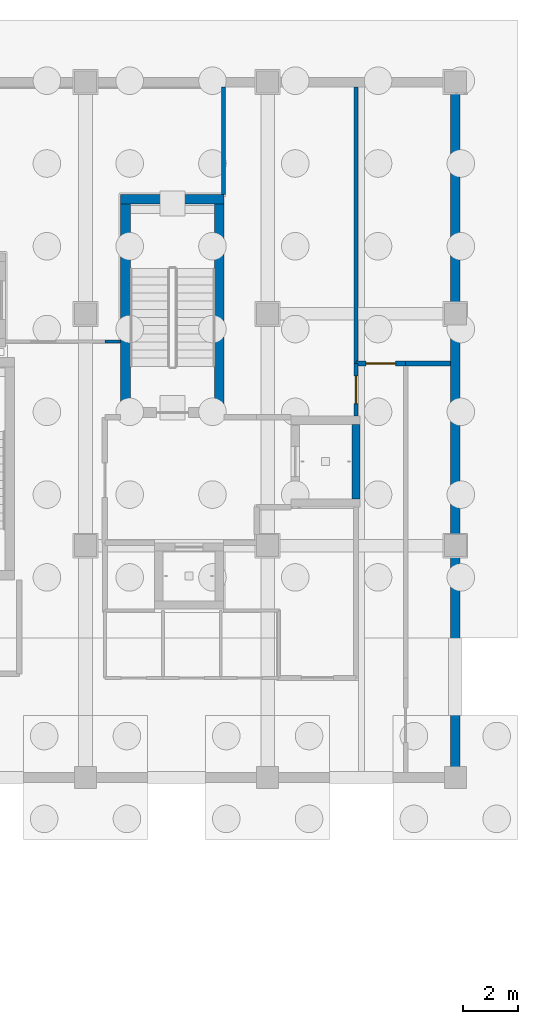
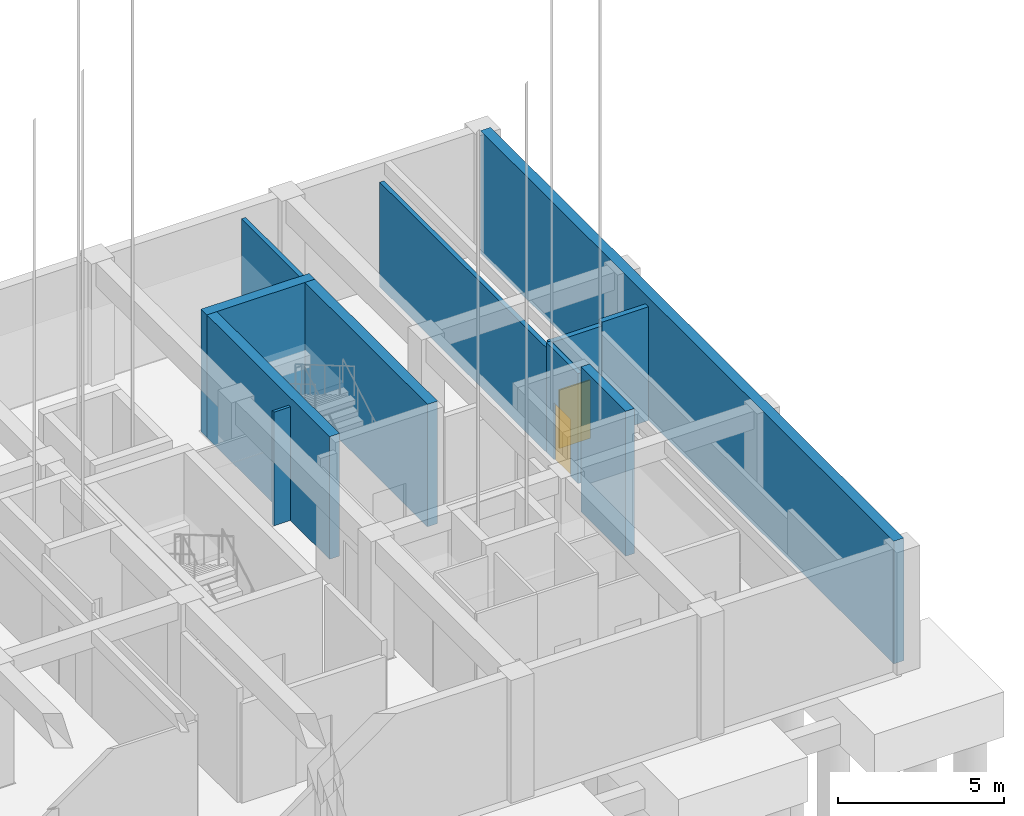
# One storey, part 38 of 44: 11 walls, 2 doors, 2 openings.
"""IFC4 building model written with IfcOpenShell, lengths in metres."""

from ifc_helpers import new_model, si_unit, direction, frame, frame_2d, origin, place, context, subcontext, project, spatial, rectangle, extrude, material, layer, layer_set, type_object, element, fill, save


model = new_model("IFC4")

# Units and contexts
model_context = context("Model", 3, precision=1e-05, world=origin(), true_north=direction((0.0, 1.0)))
body_context = subcontext(model_context, "Body", "Model", "MODEL_VIEW")
ifc_project = project(units=[si_unit("LENGTHUNIT", "METRE"), si_unit("AREAUNIT", "SQUARE_METRE"), si_unit("VOLUMEUNIT", "CUBIC_METRE"), si_unit("PLANEANGLEUNIT", "RADIAN"), si_unit("MASSUNIT", "GRAM", prefix="KILO")], contexts=[model_context])

# Site, building, storey
site_placement = place(None, origin())
site = spatial("IfcSite", under=ifc_project, at=site_placement, CompositionType="ELEMENT")
building_placement = place(site_placement, origin())
building = spatial("IfcBuilding", under=site, at=building_placement, Name="Kolvaren Faculty of Natural Sciences", CompositionType="ELEMENT")
storey_placement = place(building_placement, frame((0.0, 0.0, -4.5)))
storey = spatial("IfcBuildingStorey", under=building, at=storey_placement, Name="B01", CompositionType="ELEMENT", Elevation=-4.5)

# Walls
ifc_material_1 = material(Name="Concrete C35/45", Category="concrete")
ifc_layer_1 = layer(ifc_material_1, 0.35009765625)
ifc_layer_set_1 = layer_set([ifc_layer_1], Name="Concrete C35/45")
wall_type_1 = type_object("IfcWallType", Name="BasementRetainingWall_350", PredefinedType="SOLIDWALL", material=ifc_layer_set_1)
wall_1_placement = place(storey_placement, frame((172.0, 59.175048828125, 0.0), z_axis=(0.0, 0.0, 1.0), x_axis=(0.0, 1.0, 0.0)))
element("IfcWall", 1, at=wall_1_placement, inside=storey, type_object=wall_type_1, Name="B01 perimeter reinforced concrete retaining wall 8.1", PredefinedType="SOLIDWALL", context=body_context, shape_type="SweptSolid", body=[
    extrude(rectangle(XDim=24.849853515625, YDim=0.35009765625, at=frame_2d((12.4248046875, 0.0))), origin(), (0.0, 0.0, 1.0), 4.5),
])
ifc_material_2 = material(Name="Concrete C40/50", Category="concrete")
ifc_layer_2 = layer(ifc_material_2, 0.35009765625)
ifc_layer_set_2 = layer_set([ifc_layer_2], Name="Concrete C40/50")
wall_type_2 = type_object("IfcWallType", Name="CoreShearWall_350", PredefinedType="SHEAR", material=ifc_layer_set_2)
wall_2_placement = place(storey_placement, frame((159.875, 79.949951171875, 0.0), z_axis=(0.0, 0.0, 1.0), x_axis=(1.0, 0.0, 0.0)))
element("IfcWall", 2, at=wall_2_placement, inside=storey, type_object=wall_type_2, Name="B01 CORE-C1 stair shear wall N", PredefinedType="SHEAR", context=body_context, shape_type="SweptSolid", body=[
    extrude(rectangle(XDim=3.75, YDim=0.35009765625, at=frame_2d((1.875, 0.0))), origin(), (0.0, 0.0, 1.0), 4.5),
])
for number, where, z_axis, x_axis, name in (
    (3, (160.050048828125, 72.39990234375, 0.0), (0.0, 0.0, 1.0), (0.0, 1.0, 0.0), "B01 CORE-C1 stair shear wall W"),
    (4, (163.449951171875, 72.39990234375, 0.0), (0.0, 0.0, 1.0), (0.0, 1.0, 0.0), "B01 CORE-C1 stair shear wall E"),
):
    element("IfcWall", number, at=place(storey_placement, frame(where, z_axis=z_axis, x_axis=x_axis)), inside=storey, type_object=wall_type_2, Name=name, PredefinedType="SHEAR", context=body_context, shape_type="SweptSolid", body=[
        extrude(rectangle(XDim=7.375, YDim=0.35009765625, at=frame_2d((3.6875, 0.0))), origin(), (0.0, 0.0, 1.0), 4.5),
    ])
ifc_material_3 = material(Name="Acoustic mineral-wool insulated gypsum partition")
ifc_layer_3 = layer(ifc_material_3, 0.094970703125)
ifc_layer_set_3 = layer_set([ifc_layer_3], Name="Acoustic mineral-wool insulated gypsum partition")
wall_type_3 = type_object("IfcWallType", Name="CubiclePartition_095", PredefinedType="PARTITIONING", material=ifc_layer_set_3)
wall_3_placement = place(storey_placement, frame((159.873046875, 74.800048828125, 0.0), z_axis=(0.0, 0.0, 1.0), x_axis=(-1.0, 0.0, 0.0)))
element("IfcWall", 5, at=wall_3_placement, inside=storey, type_object=wall_type_3, Name="B01 interior partition PW-095", PredefinedType="PARTITIONING", context=body_context, shape_type="SweptSolid", body=[
    extrude(rectangle(XDim=0.572998046875, YDim=0.094970703125, at=frame_2d((0.28662109375, 0.0))), origin(), (0.0, 0.0, 1.0), 4.175048828125),
])
ifc_layer_4 = layer(ifc_material_3, 0.18505859375)
ifc_layer_set_4 = layer_set([ifc_layer_4], Name="Acoustic mineral-wool insulated gypsum partition")
wall_type_4 = type_object("IfcWallType", Name="LabPartitionWall_185", PredefinedType="PARTITIONING", material=ifc_layer_set_4)
wall_4_placement = place(storey_placement, frame((171.822998046875, 74.0, 0.0), z_axis=(0.0, 0.0, 1.0), x_axis=(-1.0, 0.0, 0.0)))
element("IfcWall", 6, at=wall_4_placement, inside=storey, type_object=wall_type_4, Name="B01 interior partition PW-185", PredefinedType="PARTITIONING", context=body_context, shape_type="SweptSolid", body=[
    extrude(rectangle(XDim=1.623046875, YDim=0.18505859375, at=frame_2d((0.8115234375, 0.0))), origin(), (0.0, 0.0, 1.0), 4.175048828125),
])

# Wall, opening, door
wall_5_placement = place(storey_placement, frame((170.199951171875, 74.0, 0.0), z_axis=(0.0, 0.0, 1.0), x_axis=(-1.0, 0.0, 0.0)))
wall_5 = element("IfcWall", 7, at=wall_5_placement, inside=storey, type_object=wall_type_4, Name="B01 interior partition PW-185", PredefinedType="PARTITIONING", context=body_context, shape_type="SweptSolid", body=[
    extrude(rectangle(XDim=1.800048828125, YDim=0.18505859375, at=frame_2d((0.89990234375, 0.0))), origin(), (0.0, 0.0, 1.0), 4.034912109375),
])
opening_1_placement = place(wall_5_placement, frame((0.360107421875, 0.0, 0.0)))
opening_1 = element("IfcOpeningElement", 8, at=opening_1_placement, cuts=wall_5, Name="Opening ID-23", PredefinedType="OPENING", context=body_context, shape_type="SweptSolid", body=[
    extrude(rectangle(XDim=1.080078125, YDim=2.139892578125, at=frame_2d((0.5400390625, 1.06982421875))), frame((0.0, 0.1025390625, 0.0), z_axis=(0.0, -1.0, 0.0), x_axis=(1.0, 0.0, 0.0)), (0.0, 0.0, 1.0), 0.205078125),
])
ifc_material_4 = material(Name="Solid-core hardwood veneer door leaf in steel frame", Category="steel")
door_type_1 = type_object("IfcDoorType", Name="InteriorRoomDoor_1080x2140", OperationType="NOTDEFINED", PredefinedType="DOOR", material=ifc_material_4)
door_1_placement = place(opening_1_placement, origin())
door_1 = element("IfcDoor", 9, at=door_1_placement, inside=storey, type_object=door_type_1, Name="D-B01-0020", OperationType="SINGLE_SWING_RIGHT", OverallHeight=2.139892578125, OverallWidth=1.080078125, PredefinedType="DOOR", context=body_context, shape_type="SweptSolid", body=[
    extrude(rectangle(XDim=1.080078125, YDim=2.139892578125, at=frame_2d((0.5400390625, 1.06982421875))), frame((0.0, 0.02490234375, 0.0), z_axis=(0.0, -1.0, 0.0), x_axis=(1.0, 0.0, 0.0)), (0.0, 0.0, 1.0), 0.050048828125),
])
fill(opening_1, door_1)

# Walls
ifc_material_5 = material(Name="Double fire-rated gypsum board on 100 mm steel stud", Category="steel")
ifc_layer_5 = layer(ifc_material_5, 0.14990234375)
ifc_layer_set_5 = layer_set([ifc_layer_5], Name="Double fire-rated gypsum board on 100 mm steel stud")
wall_type_5 = type_object("IfcWallType", Name="RatedCorridorWall_150", PredefinedType="PARTITIONING", material=ifc_layer_set_5)
wall_6_placement = place(storey_placement, frame((163.60009765625, 80.126953125, 0.0), z_axis=(0.0, 0.0, 1.0), x_axis=(0.0, 1.0, 0.0)))
element("IfcWall", 10, at=wall_6_placement, inside=storey, type_object=wall_type_5, Name="B01 interior partition LW-150", PredefinedType="PARTITIONING", context=body_context, shape_type="SweptSolid", body=[
    extrude(rectangle(XDim=3.89599609375, YDim=0.14990234375, at=frame_2d((1.947998046875, 0.0))), origin(), (0.0, 0.0, 1.0), 4.175048828125),
])
wall_7_placement = place(storey_placement, frame((168.39990234375, 84.02294921875, 0.0), z_axis=(0.0, 0.0, 1.0), x_axis=(0.0, -1.0, 0.0)))
element("IfcWall", 11, at=wall_7_placement, inside=storey, type_object=wall_type_5, Name="B01 interior partition LW-150", PredefinedType="PARTITIONING", context=body_context, shape_type="SweptSolid", body=[
    extrude(rectangle(XDim=10.02294921875, YDim=0.14990234375, at=frame_2d((5.011474609375, 0.0))), origin(), (0.0, 0.0, 1.0), 3.8349609375),
])

# Wall, opening, door
wall_8_placement = place(storey_placement, frame((168.39990234375, 74.0, 0.0), z_axis=(0.0, 0.0, 1.0), x_axis=(0.0, -1.0, 0.0)))
wall_8 = element("IfcWall", 12, at=wall_8_placement, inside=storey, type_object=wall_type_5, Name="B01 interior partition LW-150", PredefinedType="PARTITIONING", context=body_context, shape_type="SweptSolid", body=[
    extrude(rectangle(XDim=1.89794921875, YDim=0.14990234375, at=frame_2d((0.948974609375, 0.0))), origin(), (0.0, 0.0, 1.0), 4.034912109375),
])
opening_2_placement = place(wall_8_placement, frame((0.448974609375, 0.0, 0.0)))
opening_2 = element("IfcOpeningElement", 13, at=opening_2_placement, cuts=wall_8, Name="Opening FD30", PredefinedType="OPENING", context=body_context, shape_type="SweptSolid", body=[
    extrude(rectangle(XDim=1.0, YDim=2.10009765625, at=frame_2d((0.5, 1.050048828125))), frame((0.0, 0.0849609375, 0.0), z_axis=(0.0, -1.0, 0.0), x_axis=(1.0, 0.0, 0.0)), (0.0, 0.0, 1.0), 0.169921875),
])
ifc_material_6 = material(Name="Fire-rated solid-core hardwood door leaf in steel frame", Category="steel")
door_type_2 = type_object("IfcDoorType", Name="CorridorFireDoor_1000x2100", OperationType="NOTDEFINED", PredefinedType="DOOR", material=ifc_material_6)
door_2_placement = place(opening_2_placement, origin())
door_2 = element("IfcDoor", 14, at=door_2_placement, inside=storey, type_object=door_type_2, Name="D-B01-0007", OperationType="SINGLE_SWING_LEFT", OverallHeight=2.10009765625, OverallWidth=1.0, PredefinedType="DOOR", context=body_context, shape_type="SweptSolid", body=[
    extrude(rectangle(XDim=1.0, YDim=2.10009765625, at=frame_2d((0.5, 1.050048828125))), frame((0.0, 0.02490234375, 0.0), z_axis=(0.0, -1.0, 0.0), x_axis=(1.0, 0.0, 0.0)), (0.0, 0.0, 1.0), 0.050048828125),
])
fill(opening_2, door_2)

# Wall
ifc_layer_6 = layer(ifc_material_2, 0.300048828125)
ifc_layer_set_6 = layer_set([ifc_layer_6], Name="Concrete C40/50")
wall_type_6 = type_object("IfcWallType", Name="ShaftShearWall_300", PredefinedType="SHEAR", material=ifc_layer_set_6)
wall_9_placement = place(storey_placement, frame((168.39990234375, 69.10009765625, -0.820068359375), z_axis=(0.0, 0.0, 1.0), x_axis=(0.0, 1.0, 0.0)))
element("IfcWall", 15, at=wall_9_placement, inside=storey, type_object=wall_type_6, Name="B01 lift FL-1 shaft wall E", PredefinedType="SHEAR", context=body_context, shape_type="SweptSolid", body=[
    extrude(rectangle(XDim=2.699951171875, YDim=0.300048828125, at=frame_2d((1.35009765625, 0.0))), origin(), (0.0, 0.0, 1.0), 5.320068359375),
])

save(model, "model.ifc")
